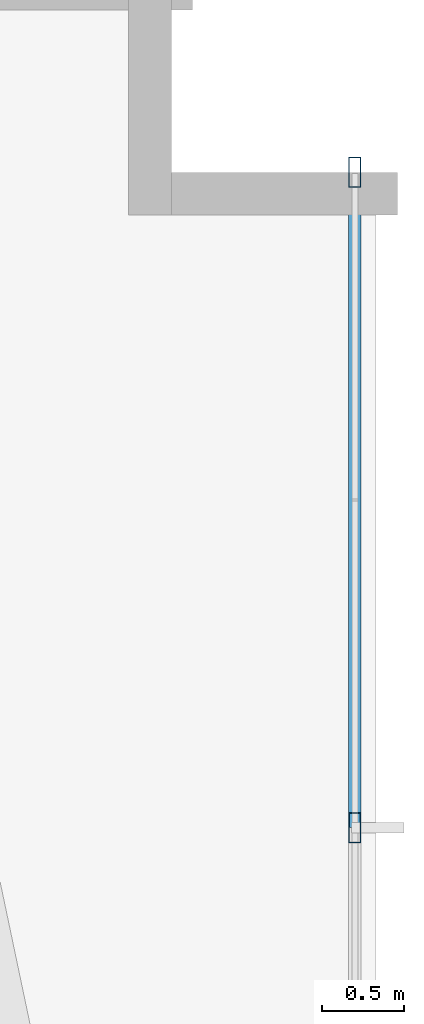
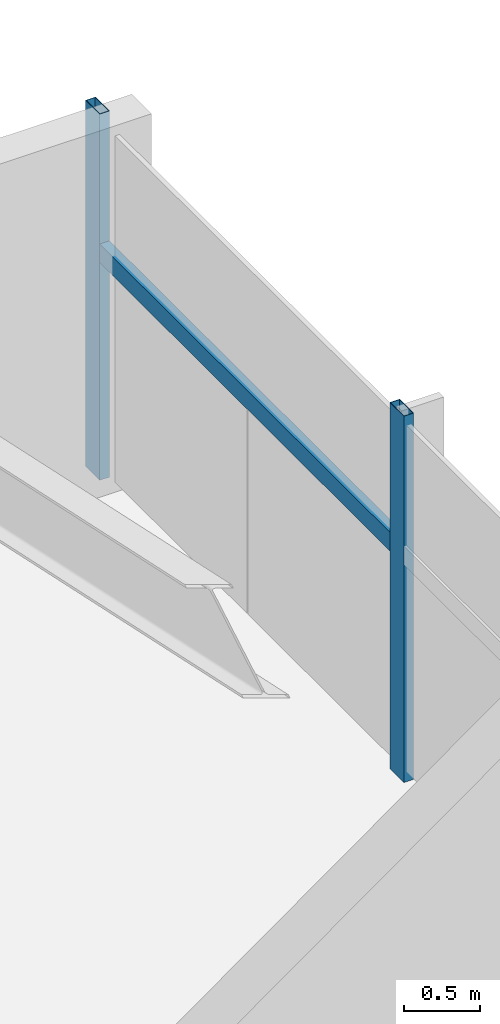
# One storey, part 17 of 25: 3 members, 1 element without a shape of its own.
"""IFC4 building model written with IfcOpenShell, lengths in metres."""

from ifc_helpers import new_model, si_unit, direction, frame, origin, origin_2d, place, context, subcontext, project, spatial, hollow_rectangle, extrude, source, transform, mapped, material, material_profile, profile_set, type_object, type_shapes, element, aggregate, save


model = new_model("IFC4")

# Units and contexts
model_context = context("Model", 3, precision=1e-05, world=origin(), true_north=direction((0.0, 1.0)))
body_context = subcontext(model_context, "Body", "Model", "MODEL_VIEW")
ifc_project = project(units=[si_unit("LENGTHUNIT", "METRE"), si_unit("AREAUNIT", "SQUARE_METRE"), si_unit("VOLUMEUNIT", "CUBIC_METRE"), si_unit("PLANEANGLEUNIT", "RADIAN"), si_unit("MASSUNIT", "GRAM", prefix="KILO")], contexts=[model_context])

# Site, building, storey
site_placement = place(None, origin())
site = spatial("IfcSite", under=ifc_project, at=site_placement, CompositionType="ELEMENT")
building_placement = place(site_placement, origin())
building = spatial("IfcBuilding", under=site, at=building_placement, Name="Astriad Promenade Condominiums", CompositionType="ELEMENT")
storey_placement = place(building_placement, frame((0.0, 0.0, 61.39990234375)))
storey = spatial("IfcBuildingStorey", under=building, at=storey_placement, Name="L17", CompositionType="ELEMENT", Elevation=61.39990234375)

# Curtain wall, members
ifc_material_1 = material(Name="Anodised aluminium Black Dark Glass Unitised", Category="aluminium")
curtain_wall_type = type_object("IfcCurtainWallType", Name="CW-B1-DARK", PredefinedType="USERDEFINED", material=ifc_material_1)
curtain_wall_placement = place(storey_placement, origin())
curtain_wall = element("IfcCurtainWall", 1, at=curtain_wall_placement, inside=storey, type_object=curtain_wall_type, Name="CW-L17-E", ObjectType="UNITISED_CURTAIN_WALL", PredefinedType="USERDEFINED")
ifc_material_2 = material(Name="Anodised aluminium 6063-T6 Black", Category="aluminium")
ifc_material_profile_1 = material_profile(ifc_material_2, hollow_rectangle(XDim=0.074951171875, YDim=0.14990234375, WallThickness=0.004150390625, at=origin_2d()), Name="ALU-TRN-75X150")
ifc_profile_set_1 = profile_set([ifc_material_profile_1], Name="Anodised aluminium 6063-T6 Black")
member_type_1 = type_object("IfcMemberType", Name="TRN-ALU-TRN-75X150", PredefinedType="USERDEFINED", material=ifc_profile_set_1)
shared_shape_1 = source(origin(), body_context, "Body", "SweptSolid", [
    extrude(hollow_rectangle(XDim=0.074951171875, YDim=0.14990234375, WallThickness=0.004150390625, at=origin_2d()), origin(), (0.0, 0.0, 1.0), 4.0),
])
type_shapes(member_type_1, [shared_shape_1])
member_1_placement = place(storey_placement, frame((59.669921875, 25.199951171875, 1.822998046875), z_axis=(0.0, -1.0, 0.0), x_axis=(1.0, 0.0, 0.0)))
member_1 = element("IfcMember", 2, at=member_1_placement, type_object=member_type_1, Name="CW-L17-E-TRN-00-0", ObjectType="TRANSOM", PredefinedType="USERDEFINED", context=body_context, shape_type="MappedRepresentation", body=[
    mapped(shared_shape_1, transform((0.0, 0.0, 0.0), scale=1.0)),
])
ifc_material_profile_2 = material_profile(ifc_material_2, hollow_rectangle(XDim=0.074951171875, YDim=0.18505859375, WallThickness=0.00439453125, at=origin_2d()), Name="ALU-MUL-75X185")
ifc_profile_set_2 = profile_set([ifc_material_profile_2], Name="Anodised aluminium 6063-T6 Black")
member_type_2 = type_object("IfcMemberType", Name="MUL-ALU-MUL-75X185", PredefinedType="MULLION", material=ifc_profile_set_2)
shared_shape_2 = source(origin(), body_context, "Body", "SweptSolid", [
    extrude(hollow_rectangle(XDim=0.074951171875, YDim=0.18505859375, WallThickness=0.00439453125, at=origin_2d()), origin(), (0.0, 0.0, 1.0), 2.940185546875),
])
type_shapes(member_type_2, [shared_shape_2])
member_2_placement = place(storey_placement, frame((59.669921875, 25.199951171875, 0.0), z_axis=(0.0, 0.0, 1.0), x_axis=(1.0, 0.0, 0.0)))
member_2 = element("IfcMember", 3, at=member_2_placement, type_object=member_type_2, Name="CW-L17-E-MUL-00", PredefinedType="MULLION", context=body_context, shape_type="MappedRepresentation", body=[
    mapped(shared_shape_2, transform((0.0, 0.0, 0.0), scale=1.0)),
])
member_3_placement = place(storey_placement, frame((59.669921875, 21.199951171875, 0.0), z_axis=(0.0, 0.0, 1.0), x_axis=(1.0, 0.0, 0.0)))
member_3 = element("IfcMember", 4, at=member_3_placement, type_object=member_type_2, Name="CW-L17-E-MUL-01", PredefinedType="MULLION", context=body_context, shape_type="MappedRepresentation", body=[
    mapped(shared_shape_2, transform((0.0, 0.0, 0.0), scale=1.0)),
])
aggregate(curtain_wall, [member_2, member_3, member_1])

save(model, "model.ifc")
